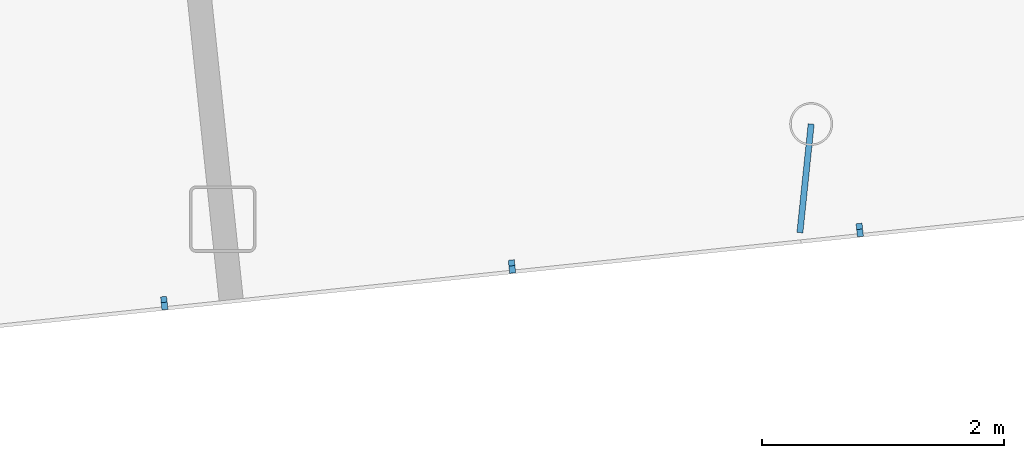
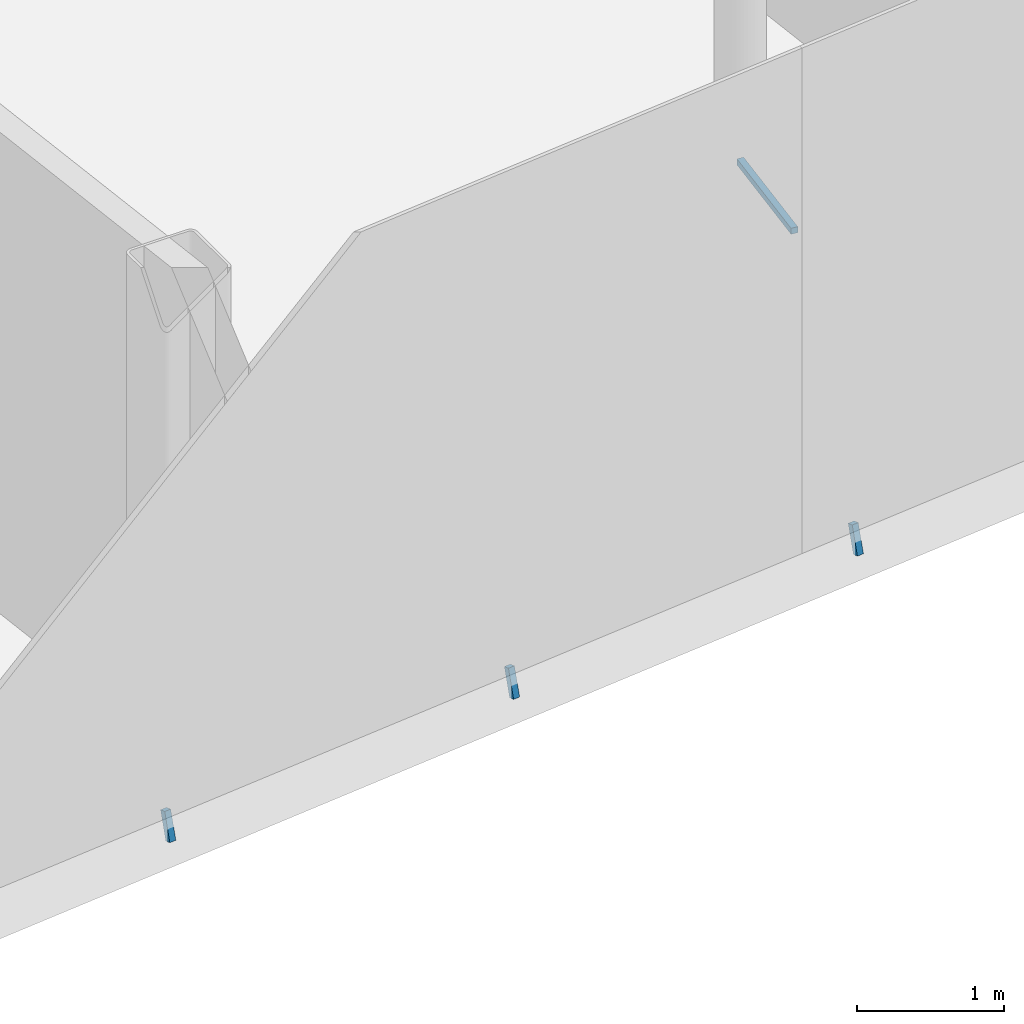
# One storey, part 17 of 28: 4 discrete accessories.
"""IFC4 building model written with IfcOpenShell, lengths in metres."""

from ifc_helpers import new_model, si_unit, direction, frame, origin, origin_2d, place, context, subcontext, project, spatial, rectangle, extrude, material, material_profile, profile_set, type_object, element, save


model = new_model("IFC4")

# Units and contexts
model_context = context("Model", 3, precision=1e-05, world=origin(), true_north=direction((0.0, 1.0)))
body_context = subcontext(model_context, "Body", "Model", "MODEL_VIEW")
ifc_project = project(units=[si_unit("LENGTHUNIT", "METRE"), si_unit("AREAUNIT", "SQUARE_METRE"), si_unit("VOLUMEUNIT", "CUBIC_METRE"), si_unit("PLANEANGLEUNIT", "RADIAN"), si_unit("MASSUNIT", "GRAM", prefix="KILO")], contexts=[model_context])

# Site, building, storey
site_placement = place(None, origin())
site = spatial("IfcSite", under=ifc_project, at=site_placement, CompositionType="ELEMENT")
building_placement = place(site_placement, origin())
building = spatial("IfcBuilding", under=site, at=building_placement, Name="Hakoniwa Tower and Hamabe Station Hall", CompositionType="ELEMENT")
storey_placement = place(building_placement, frame((0.0, 0.0, 280.800048828125)))
storey = spatial("IfcBuildingStorey", under=building, at=storey_placement, Name="L78", CompositionType="ELEMENT", Elevation=280.800048828125)

# Discrete accessories
ifc_material = material(Name="Stainless steel SUS304", Category="steel")
ifc_material_profile = material_profile(ifc_material, rectangle(XDim=0.050048828125, YDim=0.050048828125, at=origin_2d()), Name="CW-4 GLAZING BRACKET 50X50")
ifc_profile_set = profile_set([ifc_material_profile], Name="Stainless steel SUS304")
discrete_accessory_type = type_object("IfcDiscreteAccessoryType", Name="CW-4 GLAZING BRACKET 50X50", PredefinedType="BRACKET", material=ifc_profile_set)
discrete_accessory_placement = place(storey_placement, frame((-10.1982421875, -15.876708984375, 2.63330078125), z_axis=(0.103249563607, 0.99465548187, 0.0), x_axis=(-0.99465548187, 0.103249563607, 0.0)))
element("IfcDiscreteAccessory", 1, at=discrete_accessory_placement, inside=storey, type_object=discrete_accessory_type, Name="Glazing bracket", PredefinedType="BRACKET", context=body_context, shape_type="SweptSolid", body=[
    extrude(rectangle(XDim=0.050048828125, YDim=0.050048828125, at=origin_2d()), origin(), (0.0, 0.0, 1.0), 0.9033203125),
])
for number, where, z_axis, x_axis, name in (
    (2, (-15.459228515625, -16.4296875, 0.0), (0.026203593749, -0.255747074986, -0.966388537448), (0.994792043555, 0.101925414299, 0.0), "Glazing bracket"),
    (3, (-12.5830078125, -16.127197265625, 0.0), (0.027243657589, -0.256719081131, -0.966102011438), (0.994416132921, 0.10552987533, 0.0), "Glazing bracket"),
    (4, (-9.70654296875, -15.824951171875, 0.0), (0.027243657589, -0.256719081131, -0.966102011438), (0.994416132921, 0.10552987533, 0.0), "Glazing bracket"),
):
    element("IfcDiscreteAccessory", number, at=place(storey_placement, frame(where, z_axis=z_axis, x_axis=x_axis)), inside=storey, type_object=discrete_accessory_type, Name=name, PredefinedType="BRACKET", context=body_context, shape_type="SweptSolid", body=[
        extrude(rectangle(XDim=0.050048828125, YDim=0.050048828125, at=origin_2d()), origin(), (0.0, 0.0, 1.0), 0.23291015625),
    ])

save(model, "model.ifc")
